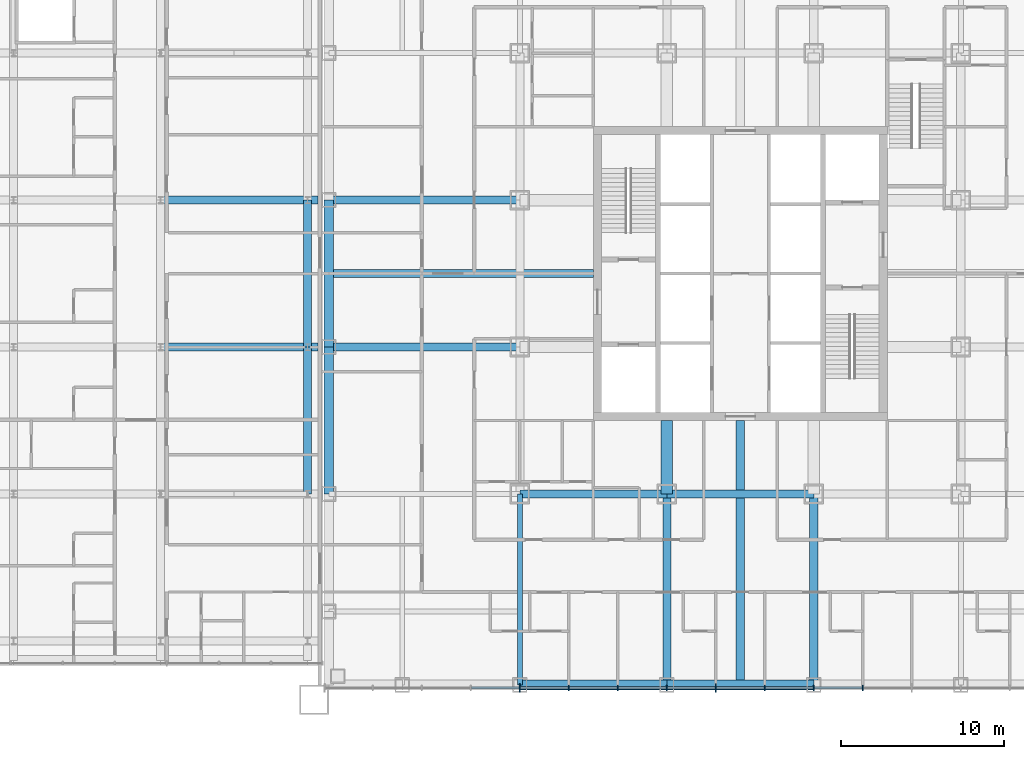
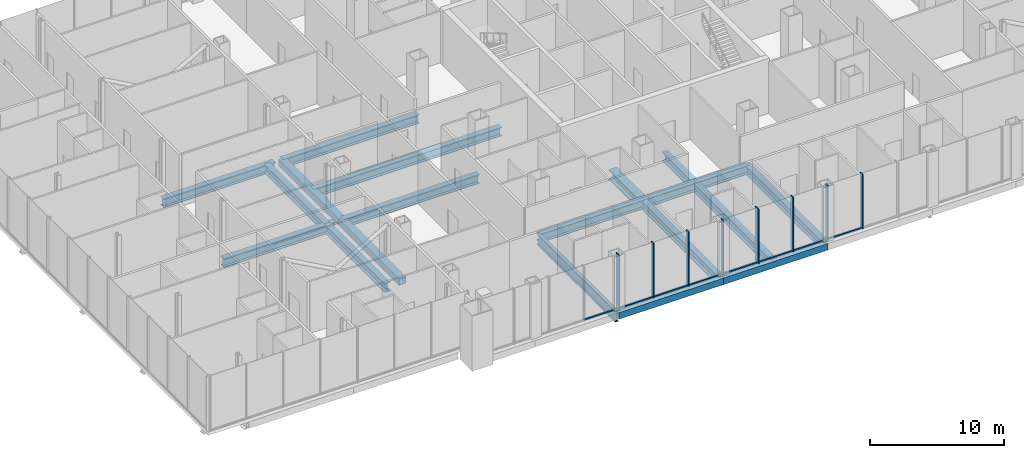
# One storey, part 6 of 28: 18 beams, 16 members, 1 element without a shape of its own.
"""IFC4 building model written with IfcOpenShell, lengths in metres."""

from ifc_helpers import new_model, si_unit, direction, frame, origin, origin_2d, place, context, subcontext, project, spatial, rectangle, hollow_rectangle, i_section, extrude, material, layer, layer_set, material_profile, profile_set, type_object, element, aggregate, save


model = new_model("IFC4")

# Units and contexts
model_context = context("Model", 3, precision=1e-05, world=origin(), true_north=direction((0.0, 1.0)))
body_context = subcontext(model_context, "Body", "Model", "MODEL_VIEW")
ifc_project = project(units=[si_unit("LENGTHUNIT", "METRE"), si_unit("AREAUNIT", "SQUARE_METRE"), si_unit("VOLUMEUNIT", "CUBIC_METRE"), si_unit("PLANEANGLEUNIT", "RADIAN"), si_unit("MASSUNIT", "GRAM", prefix="KILO")], contexts=[model_context])

# Site, building, storey
site_placement = place(None, origin())
site = spatial("IfcSite", under=ifc_project, at=site_placement, CompositionType="ELEMENT")
building_placement = place(site_placement, origin())
building = spatial("IfcBuilding", under=site, at=building_placement, Name="Malebo Sky Hospital", CompositionType="ELEMENT")
storey_placement = place(building_placement, frame((0.0, 0.0, 21.0)))
storey = spatial("IfcBuildingStorey", under=building, at=storey_placement, Name="L04", CompositionType="ELEMENT", Elevation=21.0)

# Curtain wall, members
ifc_material_1 = material(Name="Anodised aluminium, natural silver", Category="aluminium")
ifc_layer = layer(ifc_material_1, 0.25)
ifc_layer_set = layer_set([ifc_layer], Name="PODIUM ENTRANCE BAY CURTAIN WALL")
curtain_wall_type = type_object("IfcCurtainWallType", Name="PODIUM ENTRANCE BAY CURTAIN WALL", PredefinedType="NOTDEFINED", material=ifc_layer_set)
curtain_wall_placement = place(storey_placement, origin())
curtain_wall = element("IfcCurtainWall", 1, at=curtain_wall_placement, inside=storey, type_object=curtain_wall_type, Name="BAY curtain wall BS", PredefinedType="NOTDEFINED")
ifc_material_profile_1 = material_profile(ifc_material_1, rectangle(XDim=0.14990234375, YDim=0.10009765625, at=origin_2d()), Name="ALUMINIUM TRANSOM 150x100")
ifc_profile_set_1 = profile_set([ifc_material_profile_1], Name="Anodised aluminium, natural silver")
member_type_1 = type_object("IfcMemberType", Name="ALUMINIUM TRANSOM 150x100", PredefinedType="USERDEFINED", material=ifc_profile_set_1)
member_1_placement = place(storey_placement, frame((43.53759765625, 36.625, 0.050048828125), z_axis=(1.0, 0.0, 0.0), x_axis=(0.0, 1.0, 0.0)))
member_1 = element("IfcMember", 2, at=member_1_placement, type_object=member_type_1, Name="Transom 4", ObjectType="TRANSOM", PredefinedType="USERDEFINED", context=body_context, shape_type="SweptSolid", body=[
    extrude(rectangle(XDim=0.14990234375, YDim=0.10009765625, at=origin_2d()), origin(), (0.0, 0.0, 1.0), 2.9248046875),
])
member_2_placement = place(storey_placement, frame((46.53759765625, 36.625, 0.050048828125), z_axis=(1.0, 0.0, 0.0), x_axis=(0.0, 1.0, 0.0)))
member_2 = element("IfcMember", 3, at=member_2_placement, type_object=member_type_1, Name="Transom 5", ObjectType="TRANSOM", PredefinedType="USERDEFINED", context=body_context, shape_type="SweptSolid", body=[
    extrude(rectangle(XDim=0.14990234375, YDim=0.10009765625, at=origin_2d()), origin(), (0.0, 0.0, 1.0), 2.9248046875),
])
member_3_placement = place(storey_placement, frame((49.53759765625, 36.625, 0.050048828125), z_axis=(1.0, 0.0, 0.0), x_axis=(0.0, 1.0, 0.0)))
member_3 = element("IfcMember", 4, at=member_3_placement, type_object=member_type_1, Name="Transom 6", ObjectType="TRANSOM", PredefinedType="USERDEFINED", context=body_context, shape_type="SweptSolid", body=[
    extrude(rectangle(XDim=0.14990234375, YDim=0.10009765625, at=origin_2d()), origin(), (0.0, 0.0, 1.0), 2.9248046875),
])
member_4_placement = place(storey_placement, frame((52.53759765625, 36.625, 0.050048828125), z_axis=(1.0, 0.0, 0.0), x_axis=(0.0, 1.0, 0.0)))
member_4 = element("IfcMember", 5, at=member_4_placement, type_object=member_type_1, Name="Transom 7", ObjectType="TRANSOM", PredefinedType="USERDEFINED", context=body_context, shape_type="SweptSolid", body=[
    extrude(rectangle(XDim=0.14990234375, YDim=0.10009765625, at=origin_2d()), origin(), (0.0, 0.0, 1.0), 2.9248046875),
])
member_5_placement = place(storey_placement, frame((55.53759765625, 36.625, 0.050048828125), z_axis=(1.0, 0.0, 0.0), x_axis=(0.0, 1.0, 0.0)))
member_5 = element("IfcMember", 6, at=member_5_placement, type_object=member_type_1, Name="Transom 8", ObjectType="TRANSOM", PredefinedType="USERDEFINED", context=body_context, shape_type="SweptSolid", body=[
    extrude(rectangle(XDim=0.14990234375, YDim=0.10009765625, at=origin_2d()), origin(), (0.0, 0.0, 1.0), 2.9248046875),
])
member_6_placement = place(storey_placement, frame((58.53759765625, 36.625, 0.050048828125), z_axis=(1.0, 0.0, 0.0), x_axis=(0.0, 1.0, 0.0)))
member_6 = element("IfcMember", 7, at=member_6_placement, type_object=member_type_1, Name="Transom 9", ObjectType="TRANSOM", PredefinedType="USERDEFINED", context=body_context, shape_type="SweptSolid", body=[
    extrude(rectangle(XDim=0.14990234375, YDim=0.10009765625, at=origin_2d()), origin(), (0.0, 0.0, 1.0), 2.9248046875),
])
member_7_placement = place(storey_placement, frame((61.53759765625, 36.625, 0.050048828125), z_axis=(1.0, 0.0, 0.0), x_axis=(0.0, 1.0, 0.0)))
member_7 = element("IfcMember", 8, at=member_7_placement, type_object=member_type_1, Name="Transom 10", ObjectType="TRANSOM", PredefinedType="USERDEFINED", context=body_context, shape_type="SweptSolid", body=[
    extrude(rectangle(XDim=0.14990234375, YDim=0.10009765625, at=origin_2d()), origin(), (0.0, 0.0, 1.0), 2.9248046875),
])
member_8_placement = place(storey_placement, frame((64.53759765625, 36.625, 0.050048828125), z_axis=(1.0, 0.0, 0.0), x_axis=(0.0, 1.0, 0.0)))
member_8 = element("IfcMember", 9, at=member_8_placement, type_object=member_type_1, Name="Transom 11", ObjectType="TRANSOM", PredefinedType="USERDEFINED", context=body_context, shape_type="SweptSolid", body=[
    extrude(rectangle(XDim=0.14990234375, YDim=0.10009765625, at=origin_2d()), origin(), (0.0, 0.0, 1.0), 2.9248046875),
])
ifc_material_profile_2 = material_profile(ifc_material_1, rectangle(XDim=0.074951171875, YDim=0.35009765625, at=origin_2d()), Name="CW4 ALUMINIUM FIN MULLION 75x350")
ifc_profile_set_2 = profile_set([ifc_material_profile_2], Name="Anodised aluminium, natural silver")
member_type_2 = type_object("IfcMemberType", Name="CW4 ALUMINIUM FIN MULLION 75x350", PredefinedType="MULLION", material=ifc_profile_set_2)
member_9_placement = place(storey_placement, frame((49.5, 36.625, 0.0), z_axis=(0.0, 0.0, 1.0), x_axis=(1.0, 0.0, 0.0)))
member_9 = element("IfcMember", 10, at=member_9_placement, type_object=member_type_2, Name="Fin mullion 6", PredefinedType="MULLION", context=body_context, shape_type="SweptSolid", body=[
    extrude(rectangle(XDim=0.074951171875, YDim=0.35009765625, at=origin_2d()), origin(), (0.0, 0.0, 1.0), 5.0),
])
member_10_placement = place(storey_placement, frame((52.5, 36.625, 0.0), z_axis=(0.0, 0.0, 1.0), x_axis=(1.0, 0.0, 0.0)))
member_10 = element("IfcMember", 11, at=member_10_placement, type_object=member_type_2, Name="Fin mullion 7", PredefinedType="MULLION", context=body_context, shape_type="SweptSolid", body=[
    extrude(rectangle(XDim=0.074951171875, YDim=0.35009765625, at=origin_2d()), origin(), (0.0, 0.0, 1.0), 5.0),
])
member_11_placement = place(storey_placement, frame((55.5, 36.625, 0.0), z_axis=(0.0, 0.0, 1.0), x_axis=(1.0, 0.0, 0.0)))
member_11 = element("IfcMember", 12, at=member_11_placement, type_object=member_type_2, Name="Fin mullion 8", PredefinedType="MULLION", context=body_context, shape_type="SweptSolid", body=[
    extrude(rectangle(XDim=0.074951171875, YDim=0.35009765625, at=origin_2d()), origin(), (0.0, 0.0, 1.0), 5.0),
])
member_12_placement = place(storey_placement, frame((61.5, 36.625, 0.0), z_axis=(0.0, 0.0, 1.0), x_axis=(1.0, 0.0, 0.0)))
member_12 = element("IfcMember", 13, at=member_12_placement, type_object=member_type_2, Name="Fin mullion 10", PredefinedType="MULLION", context=body_context, shape_type="SweptSolid", body=[
    extrude(rectangle(XDim=0.074951171875, YDim=0.35009765625, at=origin_2d()), origin(), (0.0, 0.0, 1.0), 5.0),
])
member_13_placement = place(storey_placement, frame((64.5, 36.625, 0.0), z_axis=(0.0, 0.0, 1.0), x_axis=(1.0, 0.0, 0.0)))
member_13 = element("IfcMember", 14, at=member_13_placement, type_object=member_type_2, Name="Fin mullion 11", PredefinedType="MULLION", context=body_context, shape_type="SweptSolid", body=[
    extrude(rectangle(XDim=0.074951171875, YDim=0.35009765625, at=origin_2d()), origin(), (0.0, 0.0, 1.0), 5.0),
])
member_14_placement = place(storey_placement, frame((67.5, 36.625, 0.0), z_axis=(0.0, 0.0, 1.0), x_axis=(1.0, 0.0, 0.0)))
member_14 = element("IfcMember", 15, at=member_14_placement, type_object=member_type_2, Name="Fin mullion 12", PredefinedType="MULLION", context=body_context, shape_type="SweptSolid", body=[
    extrude(rectangle(XDim=0.074951171875, YDim=0.35009765625, at=origin_2d()), origin(), (0.0, 0.0, 1.0), 5.0),
])
ifc_material_profile_3 = material_profile(ifc_material_1, rectangle(XDim=0.074951171875, YDim=0.5, at=origin_2d()), Name="CW4 ALUMINIUM FIN MULLION 75x500")
ifc_profile_set_3 = profile_set([ifc_material_profile_3], Name="Anodised aluminium, natural silver")
member_type_3 = type_object("IfcMemberType", Name="CW4 ALUMINIUM FIN MULLION 75x500", PredefinedType="MULLION", material=ifc_profile_set_3)
member_15_placement = place(storey_placement, frame((46.5, 36.625, 0.0), z_axis=(0.0, 0.0, 1.0), x_axis=(1.0, 0.0, 0.0)))
member_15 = element("IfcMember", 16, at=member_15_placement, type_object=member_type_3, Name="Fin mullion 5", PredefinedType="MULLION", context=body_context, shape_type="SweptSolid", body=[
    extrude(rectangle(XDim=0.074951171875, YDim=0.5, at=origin_2d()), origin(), (0.0, 0.0, 1.0), 5.0),
])
member_16_placement = place(storey_placement, frame((58.5, 36.625, 0.0), z_axis=(0.0, 0.0, 1.0), x_axis=(1.0, 0.0, 0.0)))
member_16 = element("IfcMember", 17, at=member_16_placement, type_object=member_type_3, Name="Fin mullion 9", PredefinedType="MULLION", context=body_context, shape_type="SweptSolid", body=[
    extrude(rectangle(XDim=0.074951171875, YDim=0.5, at=origin_2d()), origin(), (0.0, 0.0, 1.0), 5.0),
])
aggregate(curtain_wall, [member_15, member_9, member_10, member_11, member_16, member_12, member_13, member_14, member_1, member_2, member_3, member_4, member_5, member_6, member_7, member_8])

# Beams
ifc_material_2 = material(Name="Steel S460", Category="steel")
ifc_material_profile_4 = material_profile(ifc_material_2, hollow_rectangle(XDim=0.60009765625, YDim=0.60009765625, WallThickness=0.0400390625, at=origin_2d()), Name="BOX 600x600x40")
ifc_profile_set_4 = profile_set([ifc_material_profile_4], Name="Steel S460")
beam_type_1 = type_object("IfcBeamType", Name="EDGE BEAM BOX 600x600x40", PredefinedType="BEAM", material=ifc_profile_set_4)
for number, where, z_axis, x_axis, name in (
    (18, (34.800048828125, 48.5, -0.60009765625), (0.0, 1.0, 0.0), (-1.0, 0.0, 0.0), "Beam 002 L04"),
    (19, (34.800048828125, 57.5, -0.60009765625), (0.0, 1.0, 0.0), (-1.0, 0.0, 0.0), "Beam 003 L04"),
    (20, (46.5, 36.800048828125, -0.60009765625), (1.0, 0.0, 0.0), (0.0, 1.0, 0.0), "Beam 040 L04"),
    (21, (55.5, 36.800048828125, -0.60009765625), (1.0, 0.0, 0.0), (0.0, 1.0, 0.0), "Beam 041 L04"),
):
    element("IfcBeam", number, at=place(storey_placement, frame(where, z_axis=z_axis, x_axis=x_axis)), inside=storey, type_object=beam_type_1, Name=name, PredefinedType="BEAM", context=body_context, shape_type="SweptSolid", body=[
        extrude(hollow_rectangle(XDim=0.60009765625, YDim=0.60009765625, WallThickness=0.0400390625, at=origin_2d()), origin(), (0.0, 0.0, 1.0), 9.0),
    ])
ifc_material_3 = material(Name="Steel S355", Category="steel")
ifc_material_profile_5 = material_profile(ifc_material_3, i_section(OverallWidth=0.5, OverallDepth=0.800048828125, WebThickness=0.030029296875, FlangeThickness=0.050048828125, at=origin_2d()), Name="PG 800x500x30x50")
ifc_profile_set_5 = profile_set([ifc_material_profile_5], Name="Steel S355")
beam_type_2 = type_object("IfcBeamType", Name="FLOOR BEAM PG 800x500x30x50", PredefinedType="BEAM", material=ifc_profile_set_5)
beam_1_placement = place(storey_placement, frame((55.5, 36.800048828125, -0.699951171875), z_axis=(0.0, 1.0, 0.0), x_axis=(-1.0, 0.0, 0.0)))
element("IfcBeam", 22, at=beam_1_placement, inside=storey, type_object=beam_type_2, Name="Beam 014 L04", PredefinedType="BEAM", context=body_context, shape_type="SweptSolid", body=[
    extrude(i_section(OverallWidth=0.5, OverallDepth=0.800048828125, WebThickness=0.030029296875, FlangeThickness=0.050048828125, at=origin_2d()), origin(), (0.0, 0.0, 1.0), 11.699951171875),
])
beam_2_placement = place(storey_placement, frame((60.0, 36.800048828125, -0.699951171875), z_axis=(0.0, 1.0, 0.0), x_axis=(-1.0, 0.0, 0.0)))
element("IfcBeam", 23, at=beam_2_placement, inside=storey, type_object=beam_type_2, Name="Beam 018 L04", PredefinedType="BEAM", context=body_context, shape_type="SweptSolid", body=[
    extrude(i_section(OverallWidth=0.5, OverallDepth=0.800048828125, WebThickness=0.030029296875, FlangeThickness=0.050048828125, at=origin_2d()), origin(), (0.0, 0.0, 1.0), 16.199951171875),
])
beam_3_placement = place(storey_placement, frame((64.5, 36.800048828125, -0.699951171875), z_axis=(0.0, 1.0, 0.0), x_axis=(-1.0, 0.0, 0.0)))
element("IfcBeam", 24, at=beam_3_placement, inside=storey, type_object=beam_type_2, Name="Beam 020 L04", PredefinedType="BEAM", context=body_context, shape_type="SweptSolid", body=[
    extrude(i_section(OverallWidth=0.5, OverallDepth=0.800048828125, WebThickness=0.030029296875, FlangeThickness=0.050048828125, at=origin_2d()), origin(), (0.0, 0.0, 1.0), 11.699951171875),
])
beam_4_placement = place(storey_placement, frame((46.5, 48.5, -0.699951171875), z_axis=(1.0, 0.0, 0.0), x_axis=(0.0, 1.0, 0.0)))
element("IfcBeam", 25, at=beam_4_placement, inside=storey, type_object=beam_type_2, Name="Beam 048 L04", PredefinedType="BEAM", context=body_context, shape_type="SweptSolid", body=[
    extrude(i_section(OverallWidth=0.5, OverallDepth=0.800048828125, WebThickness=0.030029296875, FlangeThickness=0.050048828125, at=origin_2d()), origin(), (0.0, 0.0, 1.0), 9.0),
])
beam_5_placement = place(storey_placement, frame((34.800048828125, 57.5, -0.699951171875), z_axis=(1.0, 0.0, 0.0), x_axis=(0.0, 1.0, 0.0)))
element("IfcBeam", 26, at=beam_5_placement, inside=storey, type_object=beam_type_2, Name="Beam 052 L04", PredefinedType="BEAM", context=body_context, shape_type="SweptSolid", body=[
    extrude(i_section(OverallWidth=0.5, OverallDepth=0.800048828125, WebThickness=0.030029296875, FlangeThickness=0.050048828125, at=origin_2d()), origin(), (0.0, 0.0, 1.0), 11.699951171875),
])
beam_6_placement = place(storey_placement, frame((34.800048828125, 62.0, -0.699951171875), z_axis=(1.0, 0.0, 0.0), x_axis=(0.0, 1.0, 0.0)))
element("IfcBeam", 27, at=beam_6_placement, inside=storey, type_object=beam_type_2, Name="Beam 056 L04", PredefinedType="BEAM", context=body_context, shape_type="SweptSolid", body=[
    extrude(i_section(OverallWidth=0.5, OverallDepth=0.800048828125, WebThickness=0.030029296875, FlangeThickness=0.050048828125, at=origin_2d()), origin(), (0.0, 0.0, 1.0), 16.199951171875),
])
beam_7_placement = place(storey_placement, frame((34.800048828125, 66.5, -0.699951171875), z_axis=(1.0, 0.0, 0.0), x_axis=(0.0, 1.0, 0.0)))
element("IfcBeam", 28, at=beam_7_placement, inside=storey, type_object=beam_type_2, Name="Beam 058 L04", PredefinedType="BEAM", context=body_context, shape_type="SweptSolid", body=[
    extrude(i_section(OverallWidth=0.5, OverallDepth=0.800048828125, WebThickness=0.030029296875, FlangeThickness=0.050048828125, at=origin_2d()), origin(), (0.0, 0.0, 1.0), 11.699951171875),
])
for number, where, z_axis, x_axis, name in (
    (29, (33.5, 48.5, -0.699951171875), (0.0, 1.0, 0.0), (-1.0, 0.0, 0.0), "Beam W012 L04"),
    (30, (33.5, 57.5, -0.699951171875), (0.0, 1.0, 0.0), (-1.0, 0.0, 0.0), "Beam W013 L04"),
):
    element("IfcBeam", number, at=place(storey_placement, frame(where, z_axis=z_axis, x_axis=x_axis)), inside=storey, type_object=beam_type_2, Name=name, PredefinedType="BEAM", context=body_context, shape_type="SweptSolid", body=[
        extrude(i_section(OverallWidth=0.5, OverallDepth=0.800048828125, WebThickness=0.030029296875, FlangeThickness=0.050048828125, at=origin_2d()), origin(), (0.0, 0.0, 1.0), 9.0),
    ])
for number, where, z_axis, x_axis, name in (
    (31, (24.5, 57.5, -0.699951171875), (1.0, 0.0, 0.0), (0.0, 1.0, 0.0), "Beam W021 L04"),
    (32, (24.5, 66.5, -0.699951171875), (1.0, 0.0, 0.0), (0.0, 1.0, 0.0), "Beam W023 L04"),
):
    element("IfcBeam", number, at=place(storey_placement, frame(where, z_axis=z_axis, x_axis=x_axis)), inside=storey, type_object=beam_type_2, Name=name, PredefinedType="BEAM", context=body_context, shape_type="SweptSolid", body=[
        extrude(i_section(OverallWidth=0.5, OverallDepth=0.800048828125, WebThickness=0.030029296875, FlangeThickness=0.050048828125, at=origin_2d()), origin(), (0.0, 0.0, 1.0), 9.64990234375),
    ])
ifc_material_profile_6 = material_profile(ifc_material_3, i_section(OverallWidth=0.699951171875, OverallDepth=0.89990234375, WebThickness=0.0400390625, FlangeThickness=0.070068359375, at=origin_2d()), Name="PG 900x700x40x70")
ifc_profile_set_6 = profile_set([ifc_material_profile_6], Name="Steel S355")
beam_type_3 = type_object("IfcBeamType", Name="FLOOR BEAM PG 900x700x40x70", PredefinedType="BEAM", material=ifc_profile_set_6)
beam_8_placement = place(storey_placement, frame((55.5, 48.5, -0.75), z_axis=(0.0, 1.0, 0.0), x_axis=(-1.0, 0.0, 0.0)))
element("IfcBeam", 33, at=beam_8_placement, inside=storey, type_object=beam_type_3, Name="Beam 015 L04", PredefinedType="BEAM", context=body_context, shape_type="SweptSolid", body=[
    extrude(i_section(OverallWidth=0.699951171875, OverallDepth=0.89990234375, WebThickness=0.0400390625, FlangeThickness=0.070068359375, at=origin_2d()), origin(), (0.0, 0.0, 1.0), 4.5),
])
ifc_material_profile_7 = material_profile(ifc_material_3, i_section(OverallWidth=0.300048828125, OverallDepth=1.0, WebThickness=0.01904296875, FlangeThickness=0.035888671875, FilletRadius=0.030029296875, at=origin_2d()), Name="HEB 1000")
ifc_profile_set_7 = profile_set([ifc_material_profile_7], Name="Steel S355")
beam_type_4 = type_object("IfcBeamType", Name="FLOOR GIRDER HEB 1000", PredefinedType="BEAM", material=ifc_profile_set_7)
beam_9_placement = place(storey_placement, frame((46.5, 36.800048828125, -0.800048828125), z_axis=(0.0, 1.0, 0.0), x_axis=(-1.0, 0.0, 0.0)))
element("IfcBeam", 34, at=beam_9_placement, inside=storey, type_object=beam_type_4, Name="Beam 009 L04", PredefinedType="BEAM", context=body_context, shape_type="SweptSolid", body=[
    extrude(i_section(OverallWidth=0.300048828125, OverallDepth=1.0, WebThickness=0.01904296875, FlangeThickness=0.035888671875, FilletRadius=0.030029296875, at=origin_2d()), origin(), (0.0, 0.0, 1.0), 11.699951171875),
])
ifc_material_profile_8 = material_profile(ifc_material_3, i_section(OverallWidth=0.5, OverallDepth=0.800048828125, WebThickness=0.030029296875, FlangeThickness=0.050048828125, at=origin_2d()), Name="PG 800x500x30x50")
ifc_profile_set_8 = profile_set([ifc_material_profile_8], Name="Steel S355")
beam_type_5 = type_object("IfcBeamType", Name="RING GIRDER PG 800x500x30x50", PredefinedType="BEAM", material=ifc_profile_set_8)
beam_10_placement = place(storey_placement, frame((55.5, 48.5, -0.699951171875), z_axis=(1.0, 0.0, 0.0), x_axis=(0.0, 1.0, 0.0)))
element("IfcBeam", 35, at=beam_10_placement, inside=storey, type_object=beam_type_5, Name="Beam 049 L04", PredefinedType="BEAM", context=body_context, shape_type="SweptSolid", body=[
    extrude(i_section(OverallWidth=0.5, OverallDepth=0.800048828125, WebThickness=0.030029296875, FlangeThickness=0.050048828125, at=origin_2d()), origin(), (0.0, 0.0, 1.0), 9.0),
])

save(model, "model.ifc")
